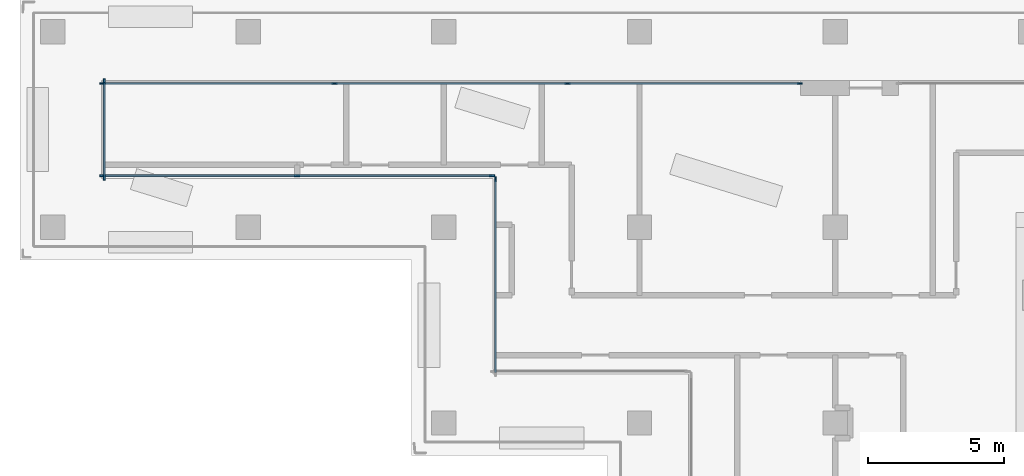
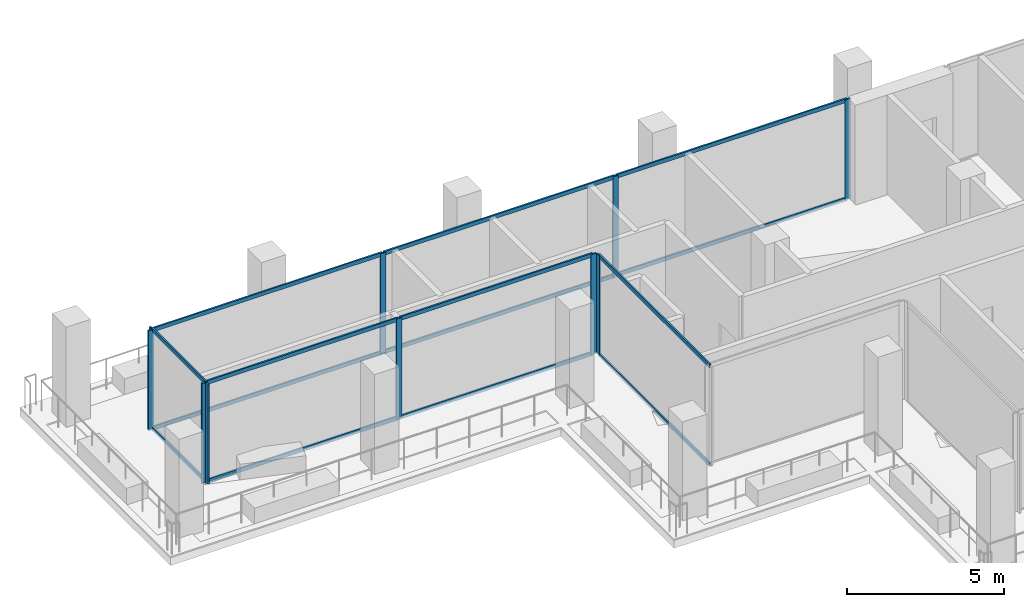
# One storey, part 5 of 19: 24 members, 4 elements without a shape of their own.
"""IFC4 building model written with IfcOpenShell, lengths in metres."""

import ifcopenshell
import ifcopenshell.guid

model = None  # the IFC model being written
_history = None  # IfcOwnerHistory: only IFC2X3 demands one
_inside = {}  # id of a spatial element -> (the spatial element, [elements in it])
_under = {}  # id of a project, library or spatial element -> (it, [spatial elements below it])
_declared = {}  # id of a project -> (the project, [libraries it declares])
_typed = {}  # id of a type object -> (the type object, [elements of that type])
_made_of = {}  # id of a material, layer set ... -> (it, [elements and type objects made of it])


def new_model(schema):
    """Start an empty IFC model of exactly this schema.

    Asked for "IFC4X3", IfcOpenShell would pick the latest addendum, in which some entities
    have other attributes; the version numbers below select the first issue.
    IFC2X3 requires an IfcOwnerHistory on every rooted entity: one is made here for all.
    """
    global model, _history
    if schema == "IFC4X3":
        model = ifcopenshell.file(schema_version=(4, 3, 0, 0))
    else:
        model = ifcopenshell.file(schema=schema)
    _inside.clear()
    _under.clear()
    _declared.clear()
    _typed.clear()
    _made_of.clear()
    _history = None
    if model.schema == "IFC2X3":
        org = make("IfcOrganization", Name="unknown")
        user = make(
            "IfcPersonAndOrganization",
            ThePerson=make("IfcPerson", FamilyName="unknown"),
            TheOrganization=org,
        )
        app = make(
            "IfcApplication",
            ApplicationDeveloper=org,
            Version="unknown",
            ApplicationFullName="unknown",
            ApplicationIdentifier="unknown",
        )
        _history = make(
            "IfcOwnerHistory",
            OwningUser=user,
            OwningApplication=app,
            ChangeAction="ADDED",
            CreationDate=0,
        )
    return model


def make(cls, **values):
    """One entity of the class cls with the attributes given. An attribute that is None is left unset."""
    return model.create_entity(
        cls, **{name: value for name, value in values.items() if value is not None}
    )


def rooted(cls, **values):
    """An entity with a GlobalId (a new one), such as an element, a storey or a relation."""
    return make(cls, GlobalId=ifcopenshell.guid.new(), OwnerHistory=_history, **values)


def si_unit(unit_type, name, prefix=None):
    """IfcSIUnit, for example si_unit("LENGTHUNIT", "METRE", prefix="MILLI")."""
    return make("IfcSIUnit", UnitType=unit_type, Prefix=prefix, Name=name)


def assignment(units):
    """IfcUnitAssignment: the units of a project."""
    return None if units is None else make("IfcUnitAssignment", Units=units)


def point(xyz):
    """IfcCartesianPoint."""
    return None if xyz is None else make("IfcCartesianPoint", Coordinates=xyz)


def direction(xyz):
    """IfcDirection."""
    return None if xyz is None else make("IfcDirection", DirectionRatios=xyz)


def frame(location, z_axis=None, x_axis=None):
    """IfcAxis2Placement3D, a coordinate frame: its origin and axes. An axis left out is left unset."""
    return make(
        "IfcAxis2Placement3D",
        Location=point(location),
        Axis=direction(z_axis),
        RefDirection=direction(x_axis),
    )


def frame_2d(location, x_axis=None):
    """IfcAxis2Placement2D, a coordinate frame in the plane: its origin and x axis."""
    return make(
        "IfcAxis2Placement2D", Location=point(location), RefDirection=direction(x_axis)
    )


def origin():
    """The frame at (0, 0, 0) with its axes left unset."""
    return frame((0.0, 0.0, 0.0))


def origin_2d():
    """The frame at (0, 0) in the plane with its x axis left unset."""
    return frame_2d((0.0, 0.0))


def place(relative_to, where):
    """IfcLocalPlacement: puts the frame where relative to a parent placement (None: the world)."""
    return make(
        "IfcLocalPlacement", PlacementRelTo=relative_to, RelativePlacement=where
    )


def context(
    kind, dimensions, precision=None, world=None, true_north=None, identifier=None
):
    """IfcGeometricRepresentationContext, for example the 3D "Model" context."""
    return make(
        "IfcGeometricRepresentationContext",
        ContextIdentifier=identifier,
        ContextType=kind,
        CoordinateSpaceDimension=dimensions,
        Precision=precision,
        WorldCoordinateSystem=world,
        TrueNorth=true_north,
    )


def subcontext(parent, identifier, kind, view, scale=None):
    """IfcGeometricRepresentationSubContext, for example "Body" below "Model"."""
    return make(
        "IfcGeometricRepresentationSubContext",
        ContextIdentifier=identifier,
        ContextType=kind,
        ParentContext=parent,
        TargetScale=scale,
        TargetView=view,
    )


def project(units=None, contexts=None):
    """IfcProject with its units and contexts."""
    return rooted(
        "IfcProject",
        Name="project",
        RepresentationContexts=contexts,
        UnitsInContext=assignment(units),
    )


def spatial(cls, under=None, at=None, **own):
    """A site, building, storey or space (cls), placed at a placement, below another one or the project."""
    s = rooted(cls, ObjectPlacement=at, **own)
    if under is not None:
        _under.setdefault(under.id(), (under, []))[1].append(s)
    return s


def profile(cls, at=None, kind="AREA", **sizes):
    """A parametric profile (cls). Its sizes go by their IFC names, for example OverallWidth=200.0."""
    return make(cls, ProfileType=kind, Position=at, **sizes)


def rectangle(**sizes):
    """IfcRectangleProfileDef."""
    return profile("IfcRectangleProfileDef", **sizes)


def extrude(swept, where, along, depth):
    """IfcExtrudedAreaSolid: the profile swept, set in the frame where, extruded along a direction by depth."""
    return make(
        "IfcExtrudedAreaSolid",
        SweptArea=swept,
        Position=where,
        ExtrudedDirection=direction(along),
        Depth=depth,
    )


def shape(context_of_items, identifier, shape_type, items):
    """IfcShapeRepresentation: the items that make up one representation, for example the "Body"."""
    return make(
        "IfcShapeRepresentation",
        ContextOfItems=context_of_items,
        RepresentationIdentifier=identifier,
        RepresentationType=shape_type,
        Items=items,
    )


def material(Name=None, Category=None):
    """IfcMaterial."""
    return make("IfcMaterial", Name=Name, Category=Category)


def material_profile(
    of_material, cross_section, Name=None, Category=None, Priority=None
):
    """IfcMaterialProfile: a cross section and its material."""
    return make(
        "IfcMaterialProfile",
        Name=Name,
        Material=of_material,
        Profile=cross_section,
        Priority=Priority,
        Category=Category,
    )


def profile_set(profiles, Name=None, composite=None):
    """IfcMaterialProfileSet."""
    return make(
        "IfcMaterialProfileSet",
        Name=Name,
        MaterialProfiles=profiles,
        CompositeProfile=composite,
    )


def made_of(thing, what):
    """Note that an element or type object is made of a material, layer set ...; save() writes the relation."""
    if what is not None:
        _made_of.setdefault(what.id(), (what, []))[1].append(thing)
    return thing


def type_object(cls, material=None, **own):
    """A type object (cls), such as IfcWallType, which elements share."""
    return made_of(rooted(cls, **own), material)


def element(
    cls,
    number,
    at=None,
    inside=None,
    cuts=None,
    type_object=None,
    material=None,
    context=None,
    identifier="Body",
    shape_type=None,
    held_by="IfcProductDefinitionShape",
    body=None,
    shapes=None,
    **own,
):
    """One element of the class cls, such as IfcWall. Its Tag is "e" and its number.

    at: its placement. inside: the storey or other place that contains it. cuts: it is an
    opening in that element (IfcRelVoidsElement). A single representation is given by context,
    identifier, shape_type and body (its items); several are given by shapes. held_by: the class
    of the entity that holds the representations. save() writes the other relations.
    """
    e = rooted(cls, Tag="e%d" % number, ObjectPlacement=at, **own)
    if body is not None:
        shapes = [shape(context, identifier, shape_type, body)]
    if shapes is not None:
        e.Representation = make(held_by, Representations=shapes)
    if inside is not None:
        _inside.setdefault(inside.id(), (inside, []))[1].append(e)
    if cuts is not None:
        rooted(
            "IfcRelVoidsElement", RelatingBuildingElement=cuts, RelatedOpeningElement=e
        )
    if type_object is not None:
        _typed.setdefault(type_object.id(), (type_object, []))[1].append(e)
    return made_of(e, material)


def aggregate(whole, parts):
    """IfcRelAggregates: a whole, such as a stair, and the parts it consists of."""
    return rooted("IfcRelAggregates", RelatingObject=whole, RelatedObjects=parts)


def save(model, path):
    """Write the relations noted so far, then the file.

    IfcRelAggregates (storeys below a building ...), IfcRelContainedInSpatialStructure (elements
    in a storey), IfcRelDefinesByType, IfcRelAssociatesMaterial and IfcRelDeclares: one each for
    every whole, place, type object, material and project.
    """
    for whole, parts in _under.values():
        aggregate(whole, parts)
    for where, things in _inside.values():
        rooted(
            "IfcRelContainedInSpatialStructure",
            RelatedElements=things,
            RelatingStructure=where,
        )
    for kind, things in _typed.values():
        rooted("IfcRelDefinesByType", RelatedObjects=things, RelatingType=kind)
    for what, things in _made_of.values():
        rooted("IfcRelAssociatesMaterial", RelatedObjects=things, RelatingMaterial=what)
    for by, libraries in _declared.values():
        rooted("IfcRelDeclares", RelatingContext=by, RelatedDefinitions=libraries)
    model.write(path)


model = new_model("IFC4")

# Units and contexts
model_context = context("Model", 3, precision=1e-05, world=origin(), true_north=direction((0.0, 1.0)))
body_context = subcontext(model_context, "Body", "Model", "MODEL_VIEW")
ifc_project = project(units=[si_unit("LENGTHUNIT", "METRE"), si_unit("AREAUNIT", "SQUARE_METRE"), si_unit("VOLUMEUNIT", "CUBIC_METRE"), si_unit("PLANEANGLEUNIT", "RADIAN"), si_unit("MASSUNIT", "GRAM", prefix="KILO")], contexts=[model_context])

# Site, building, storey
site_placement = place(None, origin())
site = spatial("IfcSite", under=ifc_project, at=site_placement, CompositionType="ELEMENT")
building_placement = place(site_placement, origin())
building = spatial("IfcBuilding", under=site, at=building_placement, Name="Windrow Commons", CompositionType="ELEMENT")
storey_placement = place(building_placement, frame((0.0, 0.0, 185.4)))
storey = spatial("IfcBuildingStorey", under=building, at=storey_placement, Name="L50", CompositionType="ELEMENT", Elevation=185.4)

# Curtain wall, members
ifc_material_1 = material(Name="Clear laminated glass in Aluminium 6063-T6 anodised frame", Category="aluminium")
curtain_wall_type = type_object("IfcCurtainWallType", Name="Curtain wall CW2H sky lounge upper", PredefinedType="USERDEFINED", material=ifc_material_1)
placement = place(storey_placement, origin())
curtain_wall_1 = element("IfcCurtainWall", 1, at=placement, inside=storey, type_object=curtain_wall_type, Name="Curtain wall CW2H L50 4.2", ObjectType="UNITISED", PredefinedType="USERDEFINED")
ifc_material_2 = material(Name="Aluminium 6063-T6", Category="aluminium")
ifc_material_profile_1 = material_profile(ifc_material_2, rectangle(XDim=0.06, YDim=0.2, at=origin_2d()))
ifc_profile_set_1 = profile_set([ifc_material_profile_1], Name="Aluminium 6063-T6")
member_type_1 = type_object("IfcMemberType", Name="CW2H mullion 60x200", PredefinedType="MULLION", material=ifc_profile_set_1)
member_1_placement = place(storey_placement, frame((49.0974, 70.1, 0.0), z_axis=(0.0, 0.0, 1.0), x_axis=(0.0, -1.0, 0.0)))
member_1 = element("IfcMember", 2, at=member_1_placement, type_object=member_type_1, Name="CW2H mullion 1", PredefinedType="MULLION", context=body_context, shape_type="SweptSolid", body=[
    extrude(rectangle(XDim=0.06, YDim=0.2, at=origin_2d()), origin(), (0.0, 0.0, 1.0), 3.9),
])
member_2_placement = place(storey_placement, frame((40.5516, 70.1, 0.0), z_axis=(0.0, 0.0, 1.0), x_axis=(0.0, -1.0, 0.0)))
member_2 = element("IfcMember", 3, at=member_2_placement, type_object=member_type_1, Name="CW2H mullion 2", PredefinedType="MULLION", context=body_context, shape_type="SweptSolid", body=[
    extrude(rectangle(XDim=0.06, YDim=0.2, at=origin_2d()), origin(), (0.0, 0.0, 1.0), 3.9),
])
member_3_placement = place(storey_placement, frame((31.9758, 70.1, 0.0), z_axis=(0.0, 0.0, 1.0), x_axis=(0.0, -1.0, 0.0)))
member_3 = element("IfcMember", 4, at=member_3_placement, type_object=member_type_1, Name="CW2H mullion 3", PredefinedType="MULLION", context=body_context, shape_type="SweptSolid", body=[
    extrude(rectangle(XDim=0.06, YDim=0.2, at=origin_2d()), origin(), (0.0, 0.0, 1.0), 3.9),
])
member_4_placement = place(storey_placement, frame((23.43, 70.1, 0.0), z_axis=(0.0, 0.0, 1.0), x_axis=(0.0, -1.0, 0.0)))
member_4 = element("IfcMember", 5, at=member_4_placement, type_object=member_type_1, Name="CW2H mullion 4", PredefinedType="MULLION", context=body_context, shape_type="SweptSolid", body=[
    extrude(rectangle(XDim=0.06, YDim=0.2, at=origin_2d()), origin(), (0.0, 0.0, 1.0), 3.9),
])

curtain_wall_2 = element("IfcCurtainWall", 6, at=placement, inside=storey, type_object=curtain_wall_type, Name="Curtain wall CW2H L50 5", ObjectType="UNITISED", PredefinedType="USERDEFINED")
member_5_placement = place(storey_placement, frame((23.5, 70.17, 0.0), z_axis=(0.0, 0.0, 1.0), x_axis=(1.0, 0.0, 0.0)))
member_5 = element("IfcMember", 7, at=member_5_placement, type_object=member_type_1, Name="CW2H mullion 1", PredefinedType="MULLION", context=body_context, shape_type="SweptSolid", body=[
    extrude(rectangle(XDim=0.06, YDim=0.2, at=origin_2d()), origin(), (0.0, 0.0, 1.0), 3.9),
])
member_6_placement = place(storey_placement, frame((23.5, 66.63, 0.0), z_axis=(0.0, 0.0, 1.0), x_axis=(1.0, 0.0, 0.0)))
member_6 = element("IfcMember", 8, at=member_6_placement, type_object=member_type_1, Name="CW2H mullion 2", PredefinedType="MULLION", context=body_context, shape_type="SweptSolid", body=[
    extrude(rectangle(XDim=0.06, YDim=0.2, at=origin_2d()), origin(), (0.0, 0.0, 1.0), 3.9),
])

curtain_wall_3 = element("IfcCurtainWall", 9, at=placement, inside=storey, type_object=curtain_wall_type, Name="Curtain wall CW2H L50 6", ObjectType="UNITISED", PredefinedType="USERDEFINED")
member_7_placement = place(storey_placement, frame((23.43, 66.7, 0.0), z_axis=(0.0, 0.0, 1.0), x_axis=(0.0, 1.0, 0.0)))
member_7 = element("IfcMember", 10, at=member_7_placement, type_object=member_type_1, Name="CW2H mullion 1", PredefinedType="MULLION", context=body_context, shape_type="SweptSolid", body=[
    extrude(rectangle(XDim=0.06, YDim=0.2, at=origin_2d()), origin(), (0.0, 0.0, 1.0), 3.9),
])
member_8_placement = place(storey_placement, frame((30.6, 66.7, 0.0), z_axis=(0.0, 0.0, 1.0), x_axis=(0.0, 1.0, 0.0)))
member_8 = element("IfcMember", 11, at=member_8_placement, type_object=member_type_1, Name="CW2H mullion 2", PredefinedType="MULLION", context=body_context, shape_type="SweptSolid", body=[
    extrude(rectangle(XDim=0.06, YDim=0.2, at=origin_2d()), origin(), (0.0, 0.0, 1.0), 3.9),
])
member_9_placement = place(storey_placement, frame((37.77, 66.7, 0.0), z_axis=(0.0, 0.0, 1.0), x_axis=(0.0, 1.0, 0.0)))
member_9 = element("IfcMember", 12, at=member_9_placement, type_object=member_type_1, Name="CW2H mullion 3", PredefinedType="MULLION", context=body_context, shape_type="SweptSolid", body=[
    extrude(rectangle(XDim=0.06, YDim=0.2, at=origin_2d()), origin(), (0.0, 0.0, 1.0), 3.9),
])

# Curtain wall, member
curtain_wall_4 = element("IfcCurtainWall", 13, at=placement, inside=storey, type_object=curtain_wall_type, Name="Curtain wall CW2H L50 7", ObjectType="UNITISED", PredefinedType="USERDEFINED")
member_10_placement = place(storey_placement, frame((37.9, 66.57, 0.0), z_axis=(0.0, 0.0, 1.0), x_axis=(1.0, 0.0, 0.0)))
member_10 = element("IfcMember", 14, at=member_10_placement, type_object=member_type_1, Name="CW2H mullion 1", PredefinedType="MULLION", context=body_context, shape_type="SweptSolid", body=[
    extrude(rectangle(XDim=0.06, YDim=0.2, at=origin_2d()), origin(), (0.0, 0.0, 1.0), 3.9),
])

# Member
ifc_material_3 = material(Name="Aluminium 6063-T6", Category="aluminium")
ifc_material_profile_2 = material_profile(ifc_material_3, rectangle(XDim=0.06, YDim=0.15, at=origin_2d()))
ifc_profile_set_2 = profile_set([ifc_material_profile_2], Name="Aluminium 6063-T6")
member_type_2 = type_object("IfcMemberType", Name="CW2H transom 60x150", PredefinedType="USERDEFINED", material=ifc_profile_set_2)
member_11_placement = place(storey_placement, frame((49.0674, 70.1, 0.03), z_axis=(-1.0, 0.0, 0.0), x_axis=(0.0, -1.0, 0.0)))
member_11 = element("IfcMember", 15, at=member_11_placement, type_object=member_type_2, Name="CW2H transom 1.1", ObjectType="TRANSOM", PredefinedType="USERDEFINED", context=body_context, shape_type="SweptSolid", body=[
    extrude(rectangle(XDim=0.06, YDim=0.15, at=origin_2d()), origin(), (0.0, 0.0, 1.0), 8.4858),
])

member_12_placement = place(storey_placement, frame((49.0674, 70.1, 3.87), z_axis=(-1.0, 0.0, 0.0), x_axis=(0.0, -1.0, 0.0)))
member_12 = element("IfcMember", 16, at=member_12_placement, type_object=member_type_2, Name="CW2H transom 1.2", ObjectType="TRANSOM", PredefinedType="USERDEFINED", context=body_context, shape_type="SweptSolid", body=[
    extrude(rectangle(XDim=0.06, YDim=0.15, at=origin_2d()), origin(), (0.0, 0.0, 1.0), 8.4858),
])

member_13_placement = place(storey_placement, frame((40.5216, 70.1, 0.03), z_axis=(-1.0, 0.0, 0.0), x_axis=(0.0, -1.0, 0.0)))
member_13 = element("IfcMember", 17, at=member_13_placement, type_object=member_type_2, Name="CW2H transom 2.1", ObjectType="TRANSOM", PredefinedType="USERDEFINED", context=body_context, shape_type="SweptSolid", body=[
    extrude(rectangle(XDim=0.06, YDim=0.15, at=origin_2d()), origin(), (0.0, 0.0, 1.0), 8.5158),
])

member_14_placement = place(storey_placement, frame((40.5216, 70.1, 3.87), z_axis=(-1.0, 0.0, 0.0), x_axis=(0.0, -1.0, 0.0)))
member_14 = element("IfcMember", 18, at=member_14_placement, type_object=member_type_2, Name="CW2H transom 2.2", ObjectType="TRANSOM", PredefinedType="USERDEFINED", context=body_context, shape_type="SweptSolid", body=[
    extrude(rectangle(XDim=0.06, YDim=0.15, at=origin_2d()), origin(), (0.0, 0.0, 1.0), 8.5158),
])

member_15_placement = place(storey_placement, frame((31.9458, 70.1, 0.03), z_axis=(-1.0, 0.0, 0.0), x_axis=(0.0, -1.0, 0.0)))
member_15 = element("IfcMember", 19, at=member_15_placement, type_object=member_type_2, Name="CW2H transom 3.1", ObjectType="TRANSOM", PredefinedType="USERDEFINED", context=body_context, shape_type="SweptSolid", body=[
    extrude(rectangle(XDim=0.06, YDim=0.15, at=origin_2d()), origin(), (0.0, 0.0, 1.0), 8.4858),
])

member_16_placement = place(storey_placement, frame((31.9458, 70.1, 3.87), z_axis=(-1.0, 0.0, 0.0), x_axis=(0.0, -1.0, 0.0)))
member_16 = element("IfcMember", 20, at=member_16_placement, type_object=member_type_2, Name="CW2H transom 3.2", ObjectType="TRANSOM", PredefinedType="USERDEFINED", context=body_context, shape_type="SweptSolid", body=[
    extrude(rectangle(XDim=0.06, YDim=0.15, at=origin_2d()), origin(), (0.0, 0.0, 1.0), 8.4858),
])

aggregate(curtain_wall_1, [member_1, member_2, member_3, member_4, member_11, member_12, member_13, member_14, member_15, member_16])

member_17_placement = place(storey_placement, frame((23.5, 70.14, 0.03), z_axis=(0.0, -1.0, 0.0), x_axis=(1.0, 0.0, 0.0)))
member_17 = element("IfcMember", 21, at=member_17_placement, type_object=member_type_2, Name="CW2H transom 1.1", ObjectType="TRANSOM", PredefinedType="USERDEFINED", context=body_context, shape_type="SweptSolid", body=[
    extrude(rectangle(XDim=0.06, YDim=0.15, at=origin_2d()), origin(), (0.0, 0.0, 1.0), 3.48),
])

member_18_placement = place(storey_placement, frame((23.5, 70.14, 3.87), z_axis=(0.0, -1.0, 0.0), x_axis=(1.0, 0.0, 0.0)))
member_18 = element("IfcMember", 22, at=member_18_placement, type_object=member_type_2, Name="CW2H transom 1.2", ObjectType="TRANSOM", PredefinedType="USERDEFINED", context=body_context, shape_type="SweptSolid", body=[
    extrude(rectangle(XDim=0.06, YDim=0.15, at=origin_2d()), origin(), (0.0, 0.0, 1.0), 3.48),
])

aggregate(curtain_wall_2, [member_5, member_6, member_17, member_18])

member_19_placement = place(storey_placement, frame((23.46, 66.7, 0.03), z_axis=(1.0, 0.0, 0.0), x_axis=(0.0, 1.0, 0.0)))
member_19 = element("IfcMember", 23, at=member_19_placement, type_object=member_type_2, Name="CW2H transom 1.1", ObjectType="TRANSOM", PredefinedType="USERDEFINED", context=body_context, shape_type="SweptSolid", body=[
    extrude(rectangle(XDim=0.06, YDim=0.15, at=origin_2d()), origin(), (0.0, 0.0, 1.0), 7.11),
])

member_20_placement = place(storey_placement, frame((23.46, 66.7, 3.87), z_axis=(1.0, 0.0, 0.0), x_axis=(0.0, 1.0, 0.0)))
member_20 = element("IfcMember", 24, at=member_20_placement, type_object=member_type_2, Name="CW2H transom 1.2", ObjectType="TRANSOM", PredefinedType="USERDEFINED", context=body_context, shape_type="SweptSolid", body=[
    extrude(rectangle(XDim=0.06, YDim=0.15, at=origin_2d()), origin(), (0.0, 0.0, 1.0), 7.11),
])

member_21_placement = place(storey_placement, frame((30.63, 66.7, 0.03), z_axis=(1.0, 0.0, 0.0), x_axis=(0.0, 1.0, 0.0)))
member_21 = element("IfcMember", 25, at=member_21_placement, type_object=member_type_2, Name="CW2H transom 2.1", ObjectType="TRANSOM", PredefinedType="USERDEFINED", context=body_context, shape_type="SweptSolid", body=[
    extrude(rectangle(XDim=0.06, YDim=0.15, at=origin_2d()), origin(), (0.0, 0.0, 1.0), 7.11),
])

member_22_placement = place(storey_placement, frame((30.63, 66.7, 3.87), z_axis=(1.0, 0.0, 0.0), x_axis=(0.0, 1.0, 0.0)))
member_22 = element("IfcMember", 26, at=member_22_placement, type_object=member_type_2, Name="CW2H transom 2.2", ObjectType="TRANSOM", PredefinedType="USERDEFINED", context=body_context, shape_type="SweptSolid", body=[
    extrude(rectangle(XDim=0.06, YDim=0.15, at=origin_2d()), origin(), (0.0, 0.0, 1.0), 7.11),
])

aggregate(curtain_wall_3, [member_7, member_8, member_9, member_19, member_20, member_21, member_22])

member_23_placement = place(storey_placement, frame((37.9, 66.54, 0.03), z_axis=(0.0, -1.0, 0.0), x_axis=(1.0, 0.0, 0.0)))
member_23 = element("IfcMember", 27, at=member_23_placement, type_object=member_type_2, Name="CW2H transom 1.1", ObjectType="TRANSOM", PredefinedType="USERDEFINED", context=body_context, shape_type="SweptSolid", body=[
    extrude(rectangle(XDim=0.06, YDim=0.15, at=origin_2d()), origin(), (0.0, 0.0, 1.0), 7.08),
])

member_24_placement = place(storey_placement, frame((37.9, 66.54, 3.87), z_axis=(0.0, -1.0, 0.0), x_axis=(1.0, 0.0, 0.0)))
member_24 = element("IfcMember", 28, at=member_24_placement, type_object=member_type_2, Name="CW2H transom 1.2", ObjectType="TRANSOM", PredefinedType="USERDEFINED", context=body_context, shape_type="SweptSolid", body=[
    extrude(rectangle(XDim=0.06, YDim=0.15, at=origin_2d()), origin(), (0.0, 0.0, 1.0), 7.08),
])

aggregate(curtain_wall_4, [member_10, member_23, member_24])

save(model, "model.ifc")
